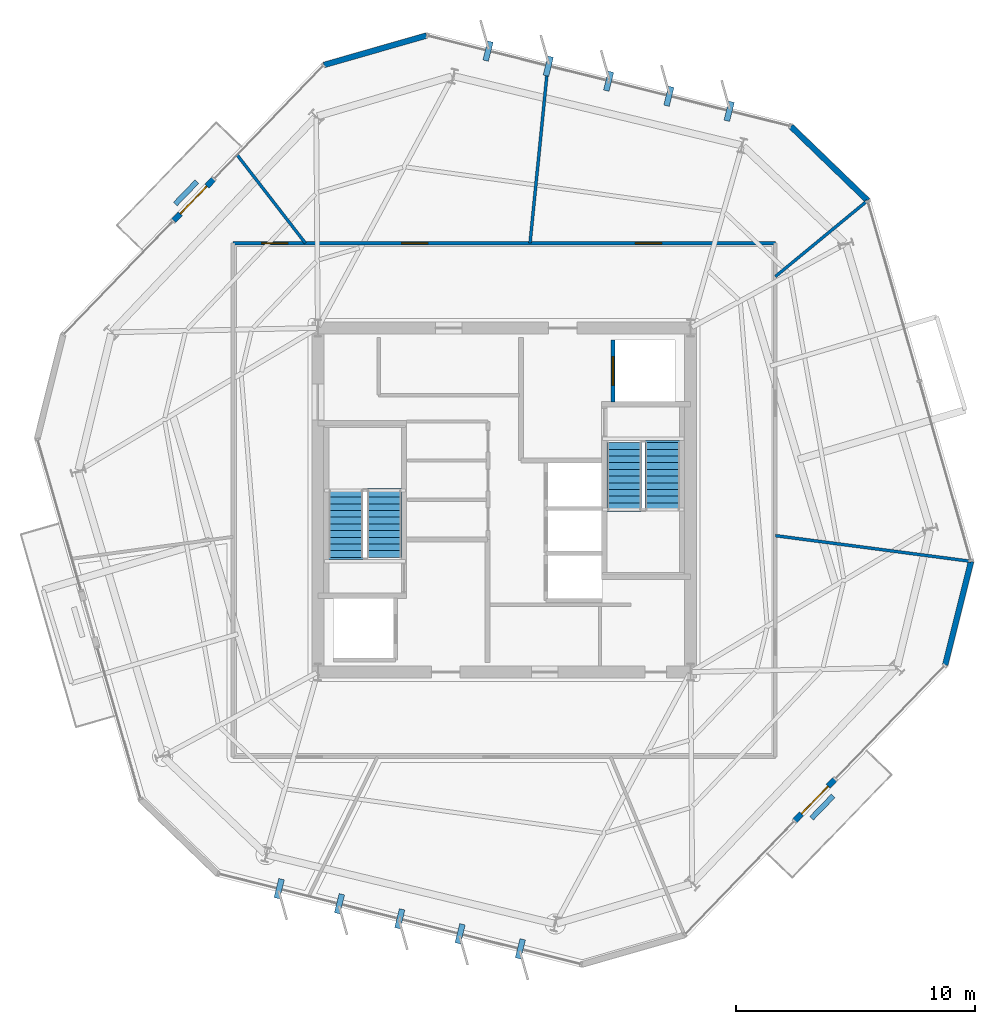
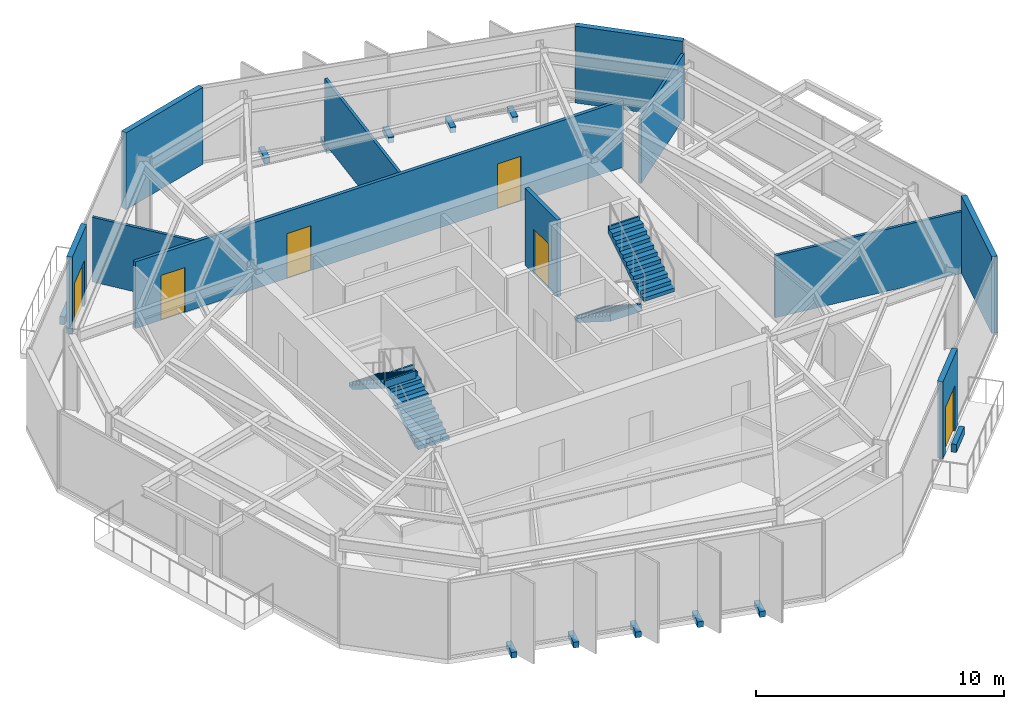
# One storey, part 8 of 11: 13 walls, 10 discrete accessories, 6 doors, 4 stair flights, 6 openings, 2 elements without a shape of their own.
"""IFC4 building model written with IfcOpenShell, lengths in metres."""

from ifc_helpers import new_model, si_unit, direction, frame, frame_2d, origin, origin_2d, place, context, subcontext, project, spatial, polyline, rectangle, outline, extrude, material, layer, layer_set, type_object, element, fill, aggregate, save


model = new_model("IFC4")

# Units and contexts
model_context = context("Model", 3, precision=1e-05, world=origin(), true_north=direction((0.0, 1.0)))
body_context = subcontext(model_context, "Body", "Model", "MODEL_VIEW")
ifc_project = project(units=[si_unit("LENGTHUNIT", "METRE"), si_unit("AREAUNIT", "SQUARE_METRE"), si_unit("VOLUMEUNIT", "CUBIC_METRE"), si_unit("PLANEANGLEUNIT", "RADIAN"), si_unit("MASSUNIT", "GRAM", prefix="KILO")], contexts=[model_context])

# Site, building, storey
site_placement = place(None, origin())
site = spatial("IfcSite", under=ifc_project, at=site_placement, CompositionType="ELEMENT")
building_placement = place(site_placement, origin())
building = spatial("IfcBuilding", under=site, at=building_placement, Name="Kranzbogen Civic Tower", CompositionType="ELEMENT")
storey_placement = place(building_placement, frame((0.0, 0.0, 208.800048828125)))
storey = spatial("IfcBuildingStorey", under=building, at=storey_placement, Name="L50", CompositionType="ELEMENT", Elevation=208.800048828125)

# Wall, openings, doors
ifc_material_1 = material(Name="Double-Stud Acoustic Gypsum Partition")
ifc_layer_1 = layer(ifc_material_1, 0.14990234375, Name="Double-Stud Acoustic Gypsum Partition")
ifc_layer_set_1 = layer_set([ifc_layer_1], Name="Double-Stud Acoustic Gypsum Partition")
wall_type_1 = type_object("IfcWallType", Name="Acoustic Corridor and Clinical Partition 150 mm", PredefinedType="PARTITIONING", material=ifc_layer_set_1)
wall_1_placement = place(storey_placement, frame((13.64990234375, 35.75, 0.0), z_axis=(0.0, 0.0, 1.0), x_axis=(1.0, 0.0, 0.0)))
wall_1 = element("IfcWall", 1, at=wall_1_placement, inside=storey, type_object=wall_type_1, Name="L50 corridor partition 01", PredefinedType="PARTITIONING", context=body_context, shape_type="SweptSolid", body=[
    extrude(rectangle(XDim=22.7001953125, YDim=0.14990234375, at=frame_2d((11.35009765625, 0.0))), origin(), (0.0, 0.0, 1.0), 3.280029296875),
])
opening_1_placement = place(wall_1_placement, frame((16.8349609375, 0.0, 0.0)))
opening_1 = element("IfcOpeningElement", 2, at=opening_1_placement, cuts=wall_1, Name="Opening D-COR60", PredefinedType="OPENING", context=body_context, shape_type="SweptSolid", body=[
    extrude(rectangle(XDim=1.10009765625, YDim=2.199951171875, at=frame_2d((0.550048828125, 1.10009765625))), frame((0.0, 0.0849609375, 0.0), z_axis=(0.0, -1.0, 0.0), x_axis=(1.0, 0.0, 0.0)), (0.0, 0.0, 1.0), 0.169921875),
])
opening_2_placement = place(wall_1_placement, frame((7.06103515625, 0.0, 0.0)))
opening_2 = element("IfcOpeningElement", 3, at=opening_2_placement, cuts=wall_1, Name="Opening D-COR60", PredefinedType="OPENING", context=body_context, shape_type="SweptSolid", body=[
    extrude(rectangle(XDim=1.10009765625, YDim=2.199951171875, at=frame_2d((0.550048828125, 1.10009765625))), frame((0.0, 0.0849609375, 0.0), z_axis=(0.0, -1.0, 0.0), x_axis=(1.0, 0.0, 0.0)), (0.0, 0.0, 1.0), 0.169921875),
])
opening_3_placement = place(wall_1_placement, frame((1.200927734375, 0.0, 0.0)))
opening_3 = element("IfcOpeningElement", 4, at=opening_3_placement, cuts=wall_1, Name="Opening D-COR60", PredefinedType="OPENING", context=body_context, shape_type="SweptSolid", body=[
    extrude(rectangle(XDim=1.10009765625, YDim=2.199951171875, at=frame_2d((0.550048828125, 1.10009765625))), frame((0.0, 0.0849609375, 0.0), z_axis=(0.0, -1.0, 0.0), x_axis=(1.0, 0.0, 0.0)), (0.0, 0.0, 1.0), 0.169921875),
])
ifc_material_2 = material(Name="Oak Timber and Fire Core", Category="wood")
door_type_1 = type_object("IfcDoorType", Name="Corridor Acoustic Fire Door 1100x2200", OperationType="NOTDEFINED", PredefinedType="DOOR", material=ifc_material_2)
door_1_placement = place(opening_1_placement, origin())
door_1 = element("IfcDoor", 5, at=door_1_placement, inside=storey, type_object=door_type_1, Name="L50 Hospitality Catering Kitchen door", OperationType="SINGLE_SWING_LEFT", OverallHeight=2.199951171875, OverallWidth=1.10009765625, PredefinedType="DOOR", context=body_context, shape_type="SweptSolid", body=[
    extrude(rectangle(XDim=1.10009765625, YDim=2.199951171875, at=frame_2d((0.550048828125, 1.10009765625))), frame((0.0, 0.02490234375, 0.0), z_axis=(0.0, -1.0, 0.0), x_axis=(1.0, 0.0, 0.0)), (0.0, 0.0, 1.0), 0.050048828125),
])
fill(opening_1, door_1)
door_2_placement = place(opening_2_placement, origin())
door_2 = element("IfcDoor", 6, at=door_2_placement, inside=storey, type_object=door_type_1, Name="L50 Refreshment Galley Pantry door", OperationType="SINGLE_SWING_RIGHT", OverallHeight=2.199951171875, OverallWidth=1.10009765625, PredefinedType="DOOR", context=body_context, shape_type="SweptSolid", body=[
    extrude(rectangle(XDim=1.10009765625, YDim=2.199951171875, at=frame_2d((0.550048828125, 1.10009765625))), frame((0.0, 0.02490234375, 0.0), z_axis=(0.0, -1.0, 0.0), x_axis=(1.0, 0.0, 0.0)), (0.0, 0.0, 1.0), 0.050048828125),
])
fill(opening_2, door_2)
door_3_placement = place(opening_3_placement, origin())
door_3 = element("IfcDoor", 7, at=door_3_placement, inside=storey, type_object=door_type_1, Name="L50 Executive Briefing Conference Room door", OperationType="SINGLE_SWING_LEFT", OverallHeight=2.199951171875, OverallWidth=1.10009765625, PredefinedType="DOOR", context=body_context, shape_type="SweptSolid", body=[
    extrude(rectangle(XDim=1.10009765625, YDim=2.199951171875, at=frame_2d((0.550048828125, 1.10009765625))), frame((0.0, 0.02490234375, 0.0), z_axis=(0.0, -1.0, 0.0), x_axis=(1.0, 0.0, 0.0)), (0.0, 0.0, 1.0), 0.050048828125),
])
fill(opening_3, door_3)

# Walls
ifc_material_3 = material(Name="Insulated Metal-Stud Gypsum Partition")
ifc_layer_2 = layer(ifc_material_3, 0.125, Name="Insulated Metal-Stud Gypsum Partition")
ifc_layer_set_2 = layer_set([ifc_layer_2], Name="Insulated Metal-Stud Gypsum Partition")
wall_type_2 = type_object("IfcWallType", Name="Acoustic Inter-Room Partition 125 mm", PredefinedType="PARTITIONING", material=ifc_layer_set_2)
wall_2_placement = place(storey_placement, frame((26.0810546875, 35.75, 0.0), z_axis=(0.0, 0.0, 1.0), x_axis=(0.099981283252, 0.994989318033, 0.0)))
element("IfcWall", 8, at=wall_2_placement, inside=storey, type_object=wall_type_2, Name="L50 radial room partition 01", PredefinedType="PARTITIONING", context=body_context, shape_type="SweptSolid", body=[
    extrude(rectangle(XDim=7.4404296875, YDim=0.125, at=frame_2d((3.72021484375, 0.0))), origin(), (0.0, 0.0, 1.0), 3.179931640625),
])
wall_3_placement = place(storey_placement, frame((16.678955078125, 35.75, 0.0), z_axis=(0.0, 0.0, 1.0), x_axis=(-0.611968816435, 0.79088189239, 0.0)))
element("IfcWall", 9, at=wall_3_placement, inside=storey, type_object=wall_type_2, Name="L50 radial room partition 02", PredefinedType="PARTITIONING", context=body_context, shape_type="SweptSolid", body=[
    extrude(rectangle(XDim=4.650390625, YDim=0.125, at=frame_2d((2.3251953125, 0.0))), origin(), (0.0, 0.0, 1.0), 3.179931640625),
])
wall_4_placement = place(storey_placement, frame((36.35009765625, 23.508056640625, 0.0), z_axis=(0.0, 0.0, 1.0), x_axis=(0.991466193804, -0.130364053878, 0.0)))
element("IfcWall", 10, at=wall_4_placement, inside=storey, type_object=wall_type_2, Name="L50 radial room partition 06", PredefinedType="PARTITIONING", context=body_context, shape_type="SweptSolid", body=[
    extrude(rectangle(XDim=8.23828125, YDim=0.125, at=frame_2d((4.119140625, 0.0))), origin(), (0.0, 0.0, 1.0), 3.050048828125),
])
wall_5_placement = place(storey_placement, frame((36.35009765625, 34.35302734375, 0.0), z_axis=(0.0, 0.0, 1.0), x_axis=(0.771814163285, 0.63584817162, 0.0)))
element("IfcWall", 11, at=wall_5_placement, inside=storey, type_object=wall_type_2, Name="L50 radial room partition 07", PredefinedType="PARTITIONING", context=body_context, shape_type="SweptSolid", body=[
    extrude(rectangle(XDim=4.979248046875, YDim=0.125, at=frame_2d((2.48974609375, 0.0))), origin(), (0.0, 0.0, 1.0), 3.179931640625),
])
ifc_material_4 = material(Name="Architectural Precast Terracotta Concrete C40/50", Category="masonry")
ifc_layer_3 = layer(ifc_material_4, 0.219970703125, Name="Architectural Precast Terracotta Concrete C40/50")
ifc_layer_set_3 = layer_set([ifc_layer_3], Name="Architectural Precast Terracotta Concrete C40/50")
wall_type_3 = type_object("IfcWallType", Name="Architectural Tree Planter Kerb Wall 220 mm", PredefinedType="USERDEFINED", material=ifc_layer_set_3)
for number, where, z_axis, x_axis, name in (
    (12, (12.14111328125, 38.322021484375, 0.0), (0.0, 0.0, 1.0), (-0.694711687204, -0.719288309138, 0.0), "L50 landscaped tree balcony planter L50-TB1"),
    (13, (37.85888671875, 11.677978515625, 0.0), (0.0, 0.0, 1.0), (0.694711687204, 0.719288309138, 0.0), "L50 landscaped tree balcony planter L50-TB2"),
):
    element("IfcWall", number, at=place(storey_placement, frame(where, z_axis=z_axis, x_axis=x_axis)), inside=storey, type_object=wall_type_3, Name=name, ObjectType="PLANTER_WALL", PredefinedType="USERDEFINED", context=body_context, shape_type="SweptSolid", body=[
        extrude(rectangle(XDim=1.30126953125, YDim=0.219970703125, at=frame_2d((0.650634765625, 0.0))), origin(), (0.0, 0.0, 1.0), 0.39990234375),
    ])

# Wall, opening, door
ifc_material_5 = material(Name="Gypsum Fireboard Shaftliner")
ifc_layer_4 = layer(ifc_material_5, 0.175048828125, Name="Gypsum Fireboard Shaftliner")
ifc_layer_set_4 = layer_set([ifc_layer_4], Name="Gypsum Fireboard Shaftliner")
wall_type_4 = type_object("IfcWallType", Name="Fire-Rated Lift and Service Shaft Wall 175 mm", PredefinedType="PARTITIONING", material=ifc_layer_set_4)
wall_6_placement = place(storey_placement, frame((29.550048828125, 29.10009765625, 0.0), z_axis=(0.0, 0.0, 1.0), x_axis=(0.0, 1.0, 0.0)))
wall_6 = element("IfcWall", 14, at=wall_6_placement, inside=storey, type_object=wall_type_4, Name="L50 lift FF-02 landing wall", PredefinedType="PARTITIONING", context=body_context, shape_type="SweptSolid", body=[
    extrude(rectangle(XDim=2.599853515625, YDim=0.175048828125, at=frame_2d((1.2998046875, 0.0))), origin(), (0.0, 0.0, 1.0), 3.780029296875),
])
opening_4_placement = place(wall_6_placement, frame((0.699951171875, 0.0, 0.0)))
opening_4 = element("IfcOpeningElement", 15, at=opening_4_placement, cuts=wall_6, Name="Opening LD-FF-02", PredefinedType="OPENING", context=body_context, shape_type="SweptSolid", body=[
    extrude(rectangle(XDim=1.199951171875, YDim=2.199951171875, at=frame_2d((0.60009765625, 1.10009765625))), frame((0.0, 0.09765625, 0.0), z_axis=(0.0, -1.0, 0.0), x_axis=(1.0, 0.0, 0.0)), (0.0, 0.0, 1.0), 0.195068359375),
])
ifc_material_6 = material(Name="Pale Anodised Aluminium", Category="aluminium")
door_type_2 = type_object("IfcDoorType", Name="Firefighting and Stretcher Lift Sliding Landing Door 1200x2200", OperationType="DOUBLE_DOOR_SLIDING", PredefinedType="DOOR", material=ifc_material_6)
door_4_placement = place(opening_4_placement, origin())
door_4 = element("IfcDoor", 16, at=door_4_placement, inside=storey, type_object=door_type_2, Name="L50 lift FF-02 sliding landing door", OperationType="DOUBLE_DOOR_SLIDING", OverallHeight=2.199951171875, OverallWidth=1.199951171875, PredefinedType="DOOR", context=body_context, shape_type="SweptSolid", body=[
    extrude(rectangle(XDim=1.199951171875, YDim=2.199951171875, at=frame_2d((0.60009765625, 1.10009765625))), frame((0.0, 0.02490234375, 0.0), z_axis=(0.0, -1.0, 0.0), x_axis=(1.0, 0.0, 0.0)), (0.0, 0.0, 1.0), 0.050048828125),
])
fill(opening_4, door_4)

# Wall
ifc_layer_5 = layer(ifc_material_6, 0.239990234375, Name="Pale Anodised Aluminium")
ifc_layer_set_5 = layer_set([ifc_layer_5], Name="Pale Anodised Aluminium")
wall_type_5 = type_object("IfcWallType", Name="Insulated Aluminium Facade Portal Wall 240 mm", PredefinedType="STANDARD", material=ifc_layer_set_5)
wall_7_placement = place(storey_placement, frame((21.7509765625, 44.43505859375, 0.0), z_axis=(0.0, 0.0, 1.0), x_axis=(-0.961280198868, -0.275572820258, 0.0)))
element("IfcWall", 17, at=wall_7_placement, inside=storey, type_object=wall_type_5, Name="L50 chamfered corner facade spandrel 1", PredefinedType="STANDARD", context=body_context, shape_type="SweptSolid", body=[
    extrude(rectangle(XDim=4.466796875, YDim=0.239990234375, at=frame_2d((2.2333984375, 0.0))), origin(), (0.0, 0.0, 1.0), 3.780029296875),
])

# Wall, opening, door
wall_8_placement = place(storey_placement, frame((12.833984375, 38.4169921875, 0.0), z_axis=(0.0, 0.0, 1.0), x_axis=(-0.694688923552, -0.719310294305, 0.0)))
wall_8 = element("IfcWall", 18, at=wall_8_placement, inside=storey, type_object=wall_type_5, Name="L50 exterior entrance portal wall 1", PredefinedType="STANDARD", context=body_context, shape_type="SweptSolid", body=[
    extrude(rectangle(XDim=2.399658203125, YDim=0.239990234375, at=frame_2d((1.19970703125, 0.0))), origin(), (0.0, 0.0, 1.0), 3.780029296875),
])
opening_5_placement = place(wall_8_placement, frame((0.39990234375, 0.0, 0.0)))
opening_5 = element("IfcOpeningElement", 19, at=opening_5_placement, cuts=wall_8, Name="Opening D-TER", PredefinedType="OPENING", context=body_context, shape_type="SweptSolid", body=[
    extrude(rectangle(XDim=1.60009765625, YDim=2.25, at=frame_2d((0.800048828125, 1.125))), frame((0.0, 0.1298828125, 0.0), z_axis=(0.0, -1.0, 0.0), x_axis=(1.0, 0.0, 0.0)), (0.0, 0.0, 1.0), 0.260009765625),
])
ifc_material_7 = material(Name="Anodised Bronze and Triple Glass", Category="glass")
door_type_3 = type_object("IfcDoorType", Name="Glazed Terrace and Balcony Double Door 1600x2250", OperationType="DOUBLE_DOOR_SINGLE_SWING", PredefinedType="DOOR", material=ifc_material_7)
door_5_placement = place(opening_5_placement, frame((1.60009765625, 0.0, 0.0), z_axis=(0.0, 0.0, 1.0), x_axis=(-1.0, 0.0, 0.0)))
door_5 = element("IfcDoor", 20, at=door_5_placement, inside=storey, type_object=door_type_3, Name="L50 tree balcony access door L50-TB1", OperationType="DOUBLE_DOOR_SINGLE_SWING", OverallHeight=2.25, OverallWidth=1.60009765625, PredefinedType="DOOR", context=body_context, shape_type="SweptSolid", body=[
    extrude(rectangle(XDim=1.60009765625, YDim=2.25, at=frame_2d((0.800048828125, 1.125))), frame((0.0, 0.02490234375, 0.0), z_axis=(0.0, -1.0, 0.0), x_axis=(1.0, 0.0, 0.0)), (0.0, 0.0, 1.0), 0.050048828125),
])
fill(opening_5, door_5)

wall_9_placement = place(storey_placement, frame((37.166015625, 11.5830078125, 0.0), z_axis=(0.0, 0.0, 1.0), x_axis=(0.694688923552, 0.719310294305, 0.0)))
wall_9 = element("IfcWall", 21, at=wall_9_placement, inside=storey, type_object=wall_type_5, Name="L50 exterior entrance portal wall 1", PredefinedType="STANDARD", context=body_context, shape_type="SweptSolid", body=[
    extrude(rectangle(XDim=2.399658203125, YDim=0.239990234375, at=frame_2d((1.19970703125, 0.0))), origin(), (0.0, 0.0, 1.0), 3.780029296875),
])
opening_6_placement = place(wall_9_placement, frame((0.39990234375, 0.0, 0.0)))
opening_6 = element("IfcOpeningElement", 22, at=opening_6_placement, cuts=wall_9, Name="Opening D-TER", PredefinedType="OPENING", context=body_context, shape_type="SweptSolid", body=[
    extrude(rectangle(XDim=1.60009765625, YDim=2.25, at=frame_2d((0.800048828125, 1.125))), frame((0.0, 0.1298828125, 0.0), z_axis=(0.0, -1.0, 0.0), x_axis=(1.0, 0.0, 0.0)), (0.0, 0.0, 1.0), 0.260009765625),
])
door_6_placement = place(opening_6_placement, frame((1.60009765625, 0.0, 0.0), z_axis=(0.0, 0.0, 1.0), x_axis=(-1.0, 0.0, 0.0)))
door_6 = element("IfcDoor", 23, at=door_6_placement, inside=storey, type_object=door_type_3, Name="L50 tree balcony access door L50-TB2", OperationType="DOUBLE_DOOR_SINGLE_SWING", OverallHeight=2.25, OverallWidth=1.60009765625, PredefinedType="DOOR", context=body_context, shape_type="SweptSolid", body=[
    extrude(rectangle(XDim=1.60009765625, YDim=2.25, at=frame_2d((0.800048828125, 1.125))), frame((0.0, 0.02490234375, 0.0), z_axis=(0.0, -1.0, 0.0), x_axis=(1.0, 0.0, 0.0)), (0.0, 0.0, 1.0), 0.050048828125),
])
fill(opening_6, door_6)

# Walls
wall_10_placement = place(storey_placement, frame((43.4560546875, 18.095947265625, 0.0), z_axis=(0.0, 0.0, 1.0), x_axis=(0.241712587921, 0.970347888564, 0.0)))
element("IfcWall", 24, at=wall_10_placement, inside=storey, type_object=wall_type_5, Name="L50 chamfered corner facade spandrel 5", PredefinedType="STANDARD", context=body_context, shape_type="SweptSolid", body=[
    extrude(rectangle(XDim=4.467529296875, YDim=0.239990234375, at=frame_2d((2.23388671875, 0.0))), origin(), (0.0, 0.0, 1.0), 3.780029296875),
])
wall_11_placement = place(storey_placement, frame((40.20703125, 37.531005859375, 0.0), z_axis=(0.0, 0.0, 1.0), x_axis=(-0.719320489357, 0.69467836701, 0.0)))
element("IfcWall", 25, at=wall_11_placement, inside=storey, type_object=wall_type_5, Name="L50 chamfered corner facade spandrel 6", PredefinedType="STANDARD", context=body_context, shape_type="SweptSolid", body=[
    extrude(rectangle(XDim=4.46826171875, YDim=0.239990234375, at=frame_2d((2.234130859375, 0.0))), origin(), (0.0, 0.0, 1.0), 3.780029296875),
])

# Stair, stair flights
ifc_material_8 = material(Name="Precast concrete C40/50", Category="concrete")
stair_type_1 = type_object("IfcStairType", Name="Tower Core Pressurized Dogleg Stair 1450", PredefinedType="HALF_TURN_STAIR", material=ifc_material_8)
stair_1_placement = place(storey_placement, origin())
stair_1 = element("IfcStair", 26, at=stair_1_placement, inside=storey, type_object=stair_type_1, Name="L50 Tower Core Pressurized Stair 1", PredefinedType="HALF_TURN_STAIR")
stair_flight_type = type_object("IfcStairFlightType", Name="Precast Concrete Stair Flight R180", PredefinedType="STRAIGHT", material=ifc_material_8)
stair_flight_1_placement = place(storey_placement, frame((19.97509765625, 22.60009765625, 0.0), z_axis=(0.0, 0.0, 1.0), x_axis=(0.0, 1.0, 0.0)))
stair_flight_1 = element("IfcStairFlight", 27, at=stair_flight_1_placement, type_object=stair_flight_type, Name="ST-T1 flight 1", NumberOfRisers=11, NumberOfTreads=10, PredefinedType="STRAIGHT", RiserHeight=0.181818182, TreadLength=0.28, context=body_context, shape_type="SweptSolid", body=[
    extrude(outline(polyline([(0.0, 0.0), (0.0, 0.181884765625), (0.280029296875, 0.181884765625), (0.280029296875, 0.363525390625), (0.56005859375, 0.363525390625), (0.56005859375, 0.54541015625), (0.840087890625, 0.54541015625), (0.840087890625, 0.727294921875), (1.1201171875, 0.727294921875), (1.1201171875, 0.9091796875), (1.39990234375, 0.9091796875), (1.39990234375, 1.0908203125), (1.679931640625, 1.0908203125), (1.679931640625, 1.272705078125), (1.9599609375, 1.272705078125), (1.9599609375, 1.45458984375), (2.239990234375, 1.45458984375), (2.239990234375, 1.636474609375), (2.52001953125, 1.636474609375), (2.52001953125, 1.818115234375), (2.800048828125, 1.818115234375), (2.800048828125, 2.0), (2.880126953125, 2.0), (2.880126953125, 1.639404296875), (0.275146484375, 0.0), (0.0, 0.0)])), frame((0.0, 0.72509765625, 0.0), z_axis=(0.0, -1.0, 0.0), x_axis=(1.0, 0.0, 0.0)), (0.0, 0.0, 1.0), 1.449951171875),
])
stair_flight_2_placement = place(storey_placement, frame((18.375, 25.39990234375, 2.0), z_axis=(0.0, 0.0, 1.0), x_axis=(0.0, -1.0, 0.0)))
stair_flight_2 = element("IfcStairFlight", 28, at=stair_flight_2_placement, type_object=stair_flight_type, Name="ST-T1 flight 2", NumberOfRisers=11, NumberOfTreads=10, PredefinedType="STRAIGHT", RiserHeight=0.181818182, TreadLength=0.28, context=body_context, shape_type="SweptSolid", body=[
    extrude(outline(polyline([(0.0, 0.0), (0.0, 0.181884765625), (0.280029296875, 0.181884765625), (0.280029296875, 0.363525390625), (0.56005859375, 0.363525390625), (0.56005859375, 0.54541015625), (0.840087890625, 0.54541015625), (0.840087890625, 0.727294921875), (1.1201171875, 0.727294921875), (1.1201171875, 0.9091796875), (1.39990234375, 0.9091796875), (1.39990234375, 1.0908203125), (1.679931640625, 1.0908203125), (1.679931640625, 1.272705078125), (1.9599609375, 1.272705078125), (1.9599609375, 1.45458984375), (2.239990234375, 1.45458984375), (2.239990234375, 1.636474609375), (2.52001953125, 1.636474609375), (2.52001953125, 1.818115234375), (2.800048828125, 1.818115234375), (2.800048828125, 2.0), (2.880126953125, 2.0), (2.880126953125, 1.639404296875), (0.275146484375, 0.0), (0.0, 0.0)])), frame((0.0, 0.72509765625, 0.0), z_axis=(0.0, -1.0, 0.0), x_axis=(1.0, 0.0, 0.0)), (0.0, 0.0, 1.0), 1.449951171875),
])
aggregate(stair_1, [stair_flight_1, stair_flight_2])

stair_type_2 = type_object("IfcStairType", Name="Tower Core Secondary Dogleg Stair 1450", PredefinedType="HALF_TURN_STAIR", material=ifc_material_8)
stair_2_placement = place(storey_placement, origin())
stair_2 = element("IfcStair", 29, at=stair_2_placement, inside=storey, type_object=stair_type_2, Name="L50 Tower Core Pressurized Stair 2", PredefinedType="HALF_TURN_STAIR")
stair_flight_3_placement = place(storey_placement, frame((30.02490234375, 27.39990234375, 0.0), z_axis=(0.0, 0.0, 1.0), x_axis=(0.0, -1.0, 0.0)))
stair_flight_3 = element("IfcStairFlight", 30, at=stair_flight_3_placement, type_object=stair_flight_type, Name="ST-T2 flight 1", NumberOfRisers=11, NumberOfTreads=10, PredefinedType="STRAIGHT", RiserHeight=0.181818182, TreadLength=0.28, context=body_context, shape_type="SweptSolid", body=[
    extrude(outline(polyline([(0.0, 0.0), (0.0, 0.181884765625), (0.280029296875, 0.181884765625), (0.280029296875, 0.363525390625), (0.56005859375, 0.363525390625), (0.56005859375, 0.54541015625), (0.840087890625, 0.54541015625), (0.840087890625, 0.727294921875), (1.1201171875, 0.727294921875), (1.1201171875, 0.9091796875), (1.39990234375, 0.9091796875), (1.39990234375, 1.0908203125), (1.679931640625, 1.0908203125), (1.679931640625, 1.272705078125), (1.9599609375, 1.272705078125), (1.9599609375, 1.45458984375), (2.239990234375, 1.45458984375), (2.239990234375, 1.636474609375), (2.52001953125, 1.636474609375), (2.52001953125, 1.818115234375), (2.800048828125, 1.818115234375), (2.800048828125, 2.0), (2.880126953125, 2.0), (2.880126953125, 1.639404296875), (0.275146484375, 0.0), (0.0, 0.0)])), frame((0.0, 0.72509765625, 0.0), z_axis=(0.0, -1.0, 0.0), x_axis=(1.0, 0.0, 0.0)), (0.0, 0.0, 1.0), 1.449951171875),
])
stair_flight_4_placement = place(storey_placement, frame((31.625, 24.60009765625, 2.0), z_axis=(0.0, 0.0, 1.0), x_axis=(0.0, 1.0, 0.0)))
stair_flight_4 = element("IfcStairFlight", 31, at=stair_flight_4_placement, type_object=stair_flight_type, Name="ST-T2 flight 2", NumberOfRisers=11, NumberOfTreads=10, PredefinedType="STRAIGHT", RiserHeight=0.181818182, TreadLength=0.28, context=body_context, shape_type="SweptSolid", body=[
    extrude(outline(polyline([(0.0, 0.0), (0.0, 0.181884765625), (0.280029296875, 0.181884765625), (0.280029296875, 0.363525390625), (0.56005859375, 0.363525390625), (0.56005859375, 0.54541015625), (0.840087890625, 0.54541015625), (0.840087890625, 0.727294921875), (1.1201171875, 0.727294921875), (1.1201171875, 0.9091796875), (1.39990234375, 0.9091796875), (1.39990234375, 1.0908203125), (1.679931640625, 1.0908203125), (1.679931640625, 1.272705078125), (1.9599609375, 1.272705078125), (1.9599609375, 1.45458984375), (2.239990234375, 1.45458984375), (2.239990234375, 1.636474609375), (2.52001953125, 1.636474609375), (2.52001953125, 1.818115234375), (2.800048828125, 1.818115234375), (2.800048828125, 2.0), (2.880126953125, 2.0), (2.880126953125, 1.639404296875), (0.275146484375, 0.0), (0.0, 0.0)])), frame((0.0, 0.72509765625, 0.0), z_axis=(0.0, -1.0, 0.0), x_axis=(1.0, 0.0, 0.0)), (0.0, 0.0, 1.0), 1.449951171875),
])
aggregate(stair_2, [stair_flight_3, stair_flight_4])

# Discrete accessories
ifc_material_9 = material(Name="Steel S355", Category="steel")
discrete_accessory_type = type_object("IfcDiscreteAccessoryType", Name="Structural Curtain-Wall Fin Support Bracket", PredefinedType="BRACKET", material=ifc_material_9)
for number, where, z_axis, x_axis, name in (
    (32, (34.4150390625, 41.26611328125, -0.25), (0.0, 0.0, 1.0), (0.2419218956, 0.970295726276, 0.0), "L50 facade fin support bracket F1-1"),
    (33, (31.89208984375, 41.89501953125, -0.25), (0.0, 0.0, 1.0), (0.2419218956, 0.970295726276, 0.0), "L50 facade fin support bracket F1-2"),
    (34, (29.368896484375, 42.52392578125, -0.25), (0.0, 0.0, 1.0), (0.2419218956, 0.970295726276, 0.0), "L50 facade fin support bracket F1-3"),
    (35, (26.845947265625, 43.153076171875, -0.25), (0.0, 0.0, 1.0), (0.2419218956, 0.970295726276, 0.0), "L50 facade fin support bracket F1-4"),
    (36, (24.323974609375, 43.781982421875, -0.25), (0.0, 0.0, 1.0), (0.2419218956, 0.970295726276, 0.0), "L50 facade fin support bracket F1-5"),
    (37, (15.5849609375, 8.73388671875, -0.25), (0.0, 0.0, 1.0), (-0.2419218956, -0.970295726276, 0.0), "L50 facade fin support bracket F4-1"),
    (38, (18.10791015625, 8.10498046875, -0.25), (0.0, 0.0, 1.0), (-0.2419218956, -0.970295726276, 0.0), "L50 facade fin support bracket F4-2"),
    (39, (20.631103515625, 7.47607421875, -0.25), (0.0, 0.0, 1.0), (-0.2419218956, -0.970295726276, 0.0), "L50 facade fin support bracket F4-3"),
    (40, (23.154052734375, 6.846923828125, -0.25), (0.0, 0.0, 1.0), (-0.2419218956, -0.970295726276, 0.0), "L50 facade fin support bracket F4-4"),
    (41, (25.676025390625, 6.218017578125, -0.25), (0.0, 0.0, 1.0), (-0.2419218956, -0.970295726276, 0.0), "L50 facade fin support bracket F4-5"),
):
    element("IfcDiscreteAccessory", number, at=place(storey_placement, frame(where, z_axis=z_axis, x_axis=x_axis)), inside=storey, type_object=discrete_accessory_type, Name=name, PredefinedType="BRACKET", context=body_context, shape_type="SweptSolid", body=[
        extrude(rectangle(XDim=0.820068359375, YDim=0.239990234375, at=origin_2d()), origin(), (0.0, 0.0, 1.0), 0.280029296875),
    ])

save(model, "model.ifc")
